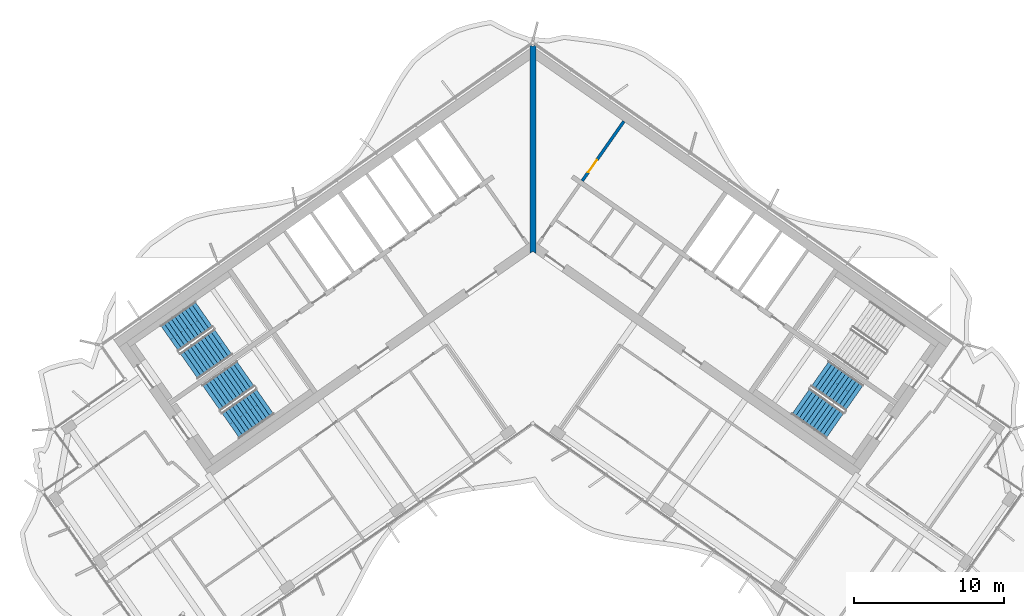
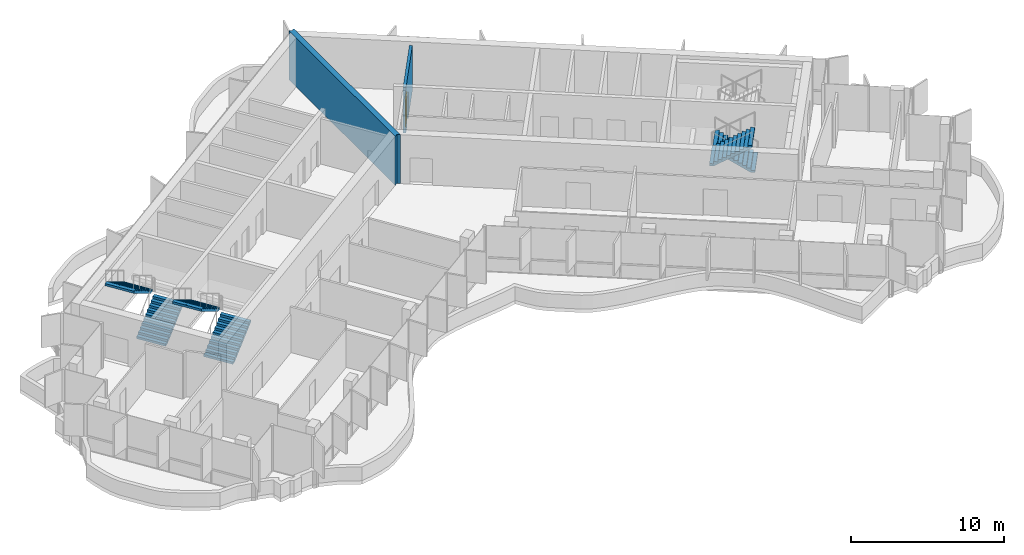
# One storey, part 14 of 20: 6 stair flights, 2 walls, 1 door, 1 opening, 3 elements without a shape of their own.
"""IFC4 building model written with IfcOpenShell, lengths in metres."""

import ifcopenshell
import ifcopenshell.guid

model = None  # the IFC model being written
_history = None  # IfcOwnerHistory: only IFC2X3 demands one
_inside = {}  # id of a spatial element -> (the spatial element, [elements in it])
_under = {}  # id of a project, library or spatial element -> (it, [spatial elements below it])
_declared = {}  # id of a project -> (the project, [libraries it declares])
_typed = {}  # id of a type object -> (the type object, [elements of that type])
_made_of = {}  # id of a material, layer set ... -> (it, [elements and type objects made of it])


def new_model(schema):
    """Start an empty IFC model of exactly this schema.

    Asked for "IFC4X3", IfcOpenShell would pick the latest addendum, in which some entities
    have other attributes; the version numbers below select the first issue.
    IFC2X3 requires an IfcOwnerHistory on every rooted entity: one is made here for all.
    """
    global model, _history
    if schema == "IFC4X3":
        model = ifcopenshell.file(schema_version=(4, 3, 0, 0))
    else:
        model = ifcopenshell.file(schema=schema)
    _inside.clear()
    _under.clear()
    _declared.clear()
    _typed.clear()
    _made_of.clear()
    _history = None
    if model.schema == "IFC2X3":
        org = make("IfcOrganization", Name="unknown")
        user = make(
            "IfcPersonAndOrganization",
            ThePerson=make("IfcPerson", FamilyName="unknown"),
            TheOrganization=org,
        )
        app = make(
            "IfcApplication",
            ApplicationDeveloper=org,
            Version="unknown",
            ApplicationFullName="unknown",
            ApplicationIdentifier="unknown",
        )
        _history = make(
            "IfcOwnerHistory",
            OwningUser=user,
            OwningApplication=app,
            ChangeAction="ADDED",
            CreationDate=0,
        )
    return model


def make(cls, **values):
    """One entity of the class cls with the attributes given. An attribute that is None is left unset."""
    return model.create_entity(
        cls, **{name: value for name, value in values.items() if value is not None}
    )


def rooted(cls, **values):
    """An entity with a GlobalId (a new one), such as an element, a storey or a relation."""
    return make(cls, GlobalId=ifcopenshell.guid.new(), OwnerHistory=_history, **values)


def si_unit(unit_type, name, prefix=None):
    """IfcSIUnit, for example si_unit("LENGTHUNIT", "METRE", prefix="MILLI")."""
    return make("IfcSIUnit", UnitType=unit_type, Prefix=prefix, Name=name)


def assignment(units):
    """IfcUnitAssignment: the units of a project."""
    return None if units is None else make("IfcUnitAssignment", Units=units)


def point(xyz):
    """IfcCartesianPoint."""
    return None if xyz is None else make("IfcCartesianPoint", Coordinates=xyz)


def direction(xyz):
    """IfcDirection."""
    return None if xyz is None else make("IfcDirection", DirectionRatios=xyz)


def frame(location, z_axis=None, x_axis=None):
    """IfcAxis2Placement3D, a coordinate frame: its origin and axes. An axis left out is left unset."""
    return make(
        "IfcAxis2Placement3D",
        Location=point(location),
        Axis=direction(z_axis),
        RefDirection=direction(x_axis),
    )


def frame_2d(location, x_axis=None):
    """IfcAxis2Placement2D, a coordinate frame in the plane: its origin and x axis."""
    return make(
        "IfcAxis2Placement2D", Location=point(location), RefDirection=direction(x_axis)
    )


def origin():
    """The frame at (0, 0, 0) with its axes left unset."""
    return frame((0.0, 0.0, 0.0))


def place(relative_to, where):
    """IfcLocalPlacement: puts the frame where relative to a parent placement (None: the world)."""
    return make(
        "IfcLocalPlacement", PlacementRelTo=relative_to, RelativePlacement=where
    )


def context(
    kind, dimensions, precision=None, world=None, true_north=None, identifier=None
):
    """IfcGeometricRepresentationContext, for example the 3D "Model" context."""
    return make(
        "IfcGeometricRepresentationContext",
        ContextIdentifier=identifier,
        ContextType=kind,
        CoordinateSpaceDimension=dimensions,
        Precision=precision,
        WorldCoordinateSystem=world,
        TrueNorth=true_north,
    )


def subcontext(parent, identifier, kind, view, scale=None):
    """IfcGeometricRepresentationSubContext, for example "Body" below "Model"."""
    return make(
        "IfcGeometricRepresentationSubContext",
        ContextIdentifier=identifier,
        ContextType=kind,
        ParentContext=parent,
        TargetScale=scale,
        TargetView=view,
    )


def project(units=None, contexts=None):
    """IfcProject with its units and contexts."""
    return rooted(
        "IfcProject",
        Name="project",
        RepresentationContexts=contexts,
        UnitsInContext=assignment(units),
    )


def spatial(cls, under=None, at=None, **own):
    """A site, building, storey or space (cls), placed at a placement, below another one or the project."""
    s = rooted(cls, ObjectPlacement=at, **own)
    if under is not None:
        _under.setdefault(under.id(), (under, []))[1].append(s)
    return s


def polyline(points):
    """IfcPolyline through the points."""
    return make("IfcPolyline", Points=[point(p) for p in points])


def profile(cls, at=None, kind="AREA", **sizes):
    """A parametric profile (cls). Its sizes go by their IFC names, for example OverallWidth=200.0."""
    return make(cls, ProfileType=kind, Position=at, **sizes)


def rectangle(**sizes):
    """IfcRectangleProfileDef."""
    return profile("IfcRectangleProfileDef", **sizes)


def outline(outer, holes=None, kind="AREA"):
    """IfcArbitraryClosedProfileDef: a profile drawn as a closed curve; with holes, ...WithVoids."""
    if holes is None:
        return make("IfcArbitraryClosedProfileDef", ProfileType=kind, OuterCurve=outer)
    return make(
        "IfcArbitraryProfileDefWithVoids",
        ProfileType=kind,
        OuterCurve=outer,
        InnerCurves=holes,
    )


def extrude(swept, where, along, depth):
    """IfcExtrudedAreaSolid: the profile swept, set in the frame where, extruded along a direction by depth."""
    return make(
        "IfcExtrudedAreaSolid",
        SweptArea=swept,
        Position=where,
        ExtrudedDirection=direction(along),
        Depth=depth,
    )


def shape(context_of_items, identifier, shape_type, items):
    """IfcShapeRepresentation: the items that make up one representation, for example the "Body"."""
    return make(
        "IfcShapeRepresentation",
        ContextOfItems=context_of_items,
        RepresentationIdentifier=identifier,
        RepresentationType=shape_type,
        Items=items,
    )


def material(Name=None, Category=None):
    """IfcMaterial."""
    return make("IfcMaterial", Name=Name, Category=Category)


def layer(
    of_material, thickness, ventilated=None, Name=None, Category=None, Priority=None
):
    """IfcMaterialLayer: one layer of a wall or slab, of a material (None: an air gap)."""
    return make(
        "IfcMaterialLayer",
        Material=of_material,
        LayerThickness=thickness,
        IsVentilated=ventilated,
        Name=Name,
        Category=Category,
        Priority=Priority,
    )


def layer_set(layers, Name=None):
    """IfcMaterialLayerSet."""
    return make("IfcMaterialLayerSet", MaterialLayers=layers, LayerSetName=Name)


def made_of(thing, what):
    """Note that an element or type object is made of a material, layer set ...; save() writes the relation."""
    if what is not None:
        _made_of.setdefault(what.id(), (what, []))[1].append(thing)
    return thing


def type_object(cls, material=None, **own):
    """A type object (cls), such as IfcWallType, which elements share."""
    return made_of(rooted(cls, **own), material)


def element(
    cls,
    number,
    at=None,
    inside=None,
    cuts=None,
    type_object=None,
    material=None,
    context=None,
    identifier="Body",
    shape_type=None,
    held_by="IfcProductDefinitionShape",
    body=None,
    shapes=None,
    **own,
):
    """One element of the class cls, such as IfcWall. Its Tag is "e" and its number.

    at: its placement. inside: the storey or other place that contains it. cuts: it is an
    opening in that element (IfcRelVoidsElement). A single representation is given by context,
    identifier, shape_type and body (its items); several are given by shapes. held_by: the class
    of the entity that holds the representations. save() writes the other relations.
    """
    e = rooted(cls, Tag="e%d" % number, ObjectPlacement=at, **own)
    if body is not None:
        shapes = [shape(context, identifier, shape_type, body)]
    if shapes is not None:
        e.Representation = make(held_by, Representations=shapes)
    if inside is not None:
        _inside.setdefault(inside.id(), (inside, []))[1].append(e)
    if cuts is not None:
        rooted(
            "IfcRelVoidsElement", RelatingBuildingElement=cuts, RelatedOpeningElement=e
        )
    if type_object is not None:
        _typed.setdefault(type_object.id(), (type_object, []))[1].append(e)
    return made_of(e, material)


def fill(opening, filler):
    """IfcRelFillsElement: the door or window that sits in an opening."""
    return rooted(
        "IfcRelFillsElement",
        RelatingOpeningElement=opening,
        RelatedBuildingElement=filler,
    )


def aggregate(whole, parts):
    """IfcRelAggregates: a whole, such as a stair, and the parts it consists of."""
    return rooted("IfcRelAggregates", RelatingObject=whole, RelatedObjects=parts)


def save(model, path):
    """Write the relations noted so far, then the file.

    IfcRelAggregates (storeys below a building ...), IfcRelContainedInSpatialStructure (elements
    in a storey), IfcRelDefinesByType, IfcRelAssociatesMaterial and IfcRelDeclares: one each for
    every whole, place, type object, material and project.
    """
    for whole, parts in _under.values():
        aggregate(whole, parts)
    for where, things in _inside.values():
        rooted(
            "IfcRelContainedInSpatialStructure",
            RelatedElements=things,
            RelatingStructure=where,
        )
    for kind, things in _typed.values():
        rooted("IfcRelDefinesByType", RelatedObjects=things, RelatingType=kind)
    for what, things in _made_of.values():
        rooted("IfcRelAssociatesMaterial", RelatedObjects=things, RelatingMaterial=what)
    for by, libraries in _declared.values():
        rooted("IfcRelDeclares", RelatingContext=by, RelatedDefinitions=libraries)
    model.write(path)


model = new_model("IFC4")

# Units and contexts
model_context = context("Model", 3, precision=1e-05, world=origin(), true_north=direction((0.0, 1.0)))
body_context = subcontext(model_context, "Body", "Model", "MODEL_VIEW")
ifc_project = project(units=[si_unit("LENGTHUNIT", "METRE"), si_unit("AREAUNIT", "SQUARE_METRE"), si_unit("VOLUMEUNIT", "CUBIC_METRE"), si_unit("PLANEANGLEUNIT", "RADIAN"), si_unit("MASSUNIT", "GRAM", prefix="KILO")], contexts=[model_context])

# Site, building, storey
site_placement = place(None, origin())
site = spatial("IfcSite", under=ifc_project, at=site_placement, CompositionType="ELEMENT")
building_placement = place(site_placement, origin())
building = spatial("IfcBuilding", under=site, at=building_placement, Name="Tel Ilan Convention Tower", CompositionType="ELEMENT")
storey_placement = place(building_placement, frame((0.0, 0.0, 233.199951171875)))
storey = spatial("IfcBuildingStorey", under=building, at=storey_placement, Name="L54", CompositionType="ELEMENT", Elevation=233.199951171875)

# Wall, opening, door
ifc_material_1 = material(Name="Concrete C30/37", Category="concrete")
ifc_layer_1 = layer(ifc_material_1, 0.199951171875)
ifc_layer_set_1 = layer_set([ifc_layer_1], Name="Core Service Room Wall 200 mm C30/37")
wall_type_1 = type_object("IfcWallType", Name="Core Service Room Wall 200 mm C30/37", PredefinedType="SOLIDWALL", material=ifc_layer_set_1)
wall_1_placement = place(storey_placement, frame((3.2978515625, 3.489501953125, 0.0), z_axis=(0.0, 0.0, 1.0), x_axis=(0.573560315113, 0.819163332265, 0.0)))
wall_1 = element("IfcWall", 1, at=wall_1_placement, inside=storey, type_object=wall_type_1, Name="L54 core wall apex-E-b", PredefinedType="SOLIDWALL", context=body_context, shape_type="SweptSolid", body=[
    extrude(rectangle(XDim=4.849853515625, YDim=0.199951171875, at=frame_2d((2.4248046875, 0.0))), origin(), (0.0, 0.0, 1.0), 3.6201171875),
])
opening_placement = place(wall_1_placement, frame((0.699951171875, 0.0, 0.0)))
opening = element("IfcOpeningElement", 2, at=opening_placement, cuts=wall_1, Name="Opening CD4203", PredefinedType="OPENING", context=body_context, shape_type="SweptSolid", body=[
    extrude(rectangle(XDim=1.0, YDim=2.10009765625, at=frame_2d((0.5, 1.050048828125))), frame((0.0, 0.10986328125, 0.0), z_axis=(0.0, -1.0, 0.0), x_axis=(1.0, 0.0, 0.0)), (0.0, 0.0, 1.0), 0.219970703125),
])
ifc_material_2 = material(Name="Galvanised Steel Door Leaf", Category="steel")
door_type = type_object("IfcDoorType", Name="Service Room Door 1000 x 2100 FD60", OperationType="NOTDEFINED", PredefinedType="DOOR", material=ifc_material_2)
door_placement = place(opening_placement, origin())
door = element("IfcDoor", 3, at=door_placement, inside=storey, type_object=door_type, Name="Plant Room door", OperationType="SINGLE_SWING_RIGHT", OverallHeight=2.10009765625, OverallWidth=1.0, PredefinedType="DOOR", context=body_context, shape_type="SweptSolid", body=[
    extrude(rectangle(XDim=1.0, YDim=2.10009765625, at=frame_2d((0.5, 1.050048828125))), frame((0.0, 0.02490234375, 0.0), z_axis=(0.0, -1.0, 0.0), x_axis=(1.0, 0.0, 0.0)), (0.0, 0.0, 1.0), 0.050048828125),
])
fill(opening, door)

# Wall
ifc_material_3 = material(Name="Concrete C40/50", Category="concrete")
ifc_layer_2 = layer(ifc_material_3, 0.39990234375)
ifc_layer_set_2 = layer_set([ifc_layer_2], Name="Core Shear Wall 400 mm C40/50")
wall_type_2 = type_object("IfcWallType", Name="Core Shear Wall 400 mm C40/50", PredefinedType="SHEAR", material=ifc_layer_set_2)
wall_2_placement = place(storey_placement, frame((0.0, -1.36083984375, 0.0), z_axis=(0.0, 0.0, 1.0), x_axis=(0.0, 1.0, 0.0)))
element("IfcWall", 4, at=wall_2_placement, inside=storey, type_object=wall_type_2, Name="L54 core wall K-central", PredefinedType="SHEAR", context=body_context, shape_type="SweptSolid", body=[
    extrude(outline(polyline([(0.14013671875, 0.199951171875), (0.0, 0.199951171875), (0.14013671875, 0.0), (0.0, -0.199951171875), (0.14013671875, -0.199951171875), (1.012451171875, -0.199951171875), (12.940185546875, -0.199951171875), (13.812744140625, -0.199951171875), (13.893310546875, -0.199951171875), (13.933349609375, -0.172119140625), (13.812744140625, 0.0), (13.933349609375, 0.172119140625), (13.893310546875, 0.199951171875), (13.812744140625, 0.199951171875), (12.940185546875, 0.199951171875), (1.012451171875, 0.199951171875), (0.14013671875, 0.199951171875)])), origin(), (0.0, 0.0, 1.0), 3.900146484375),
])

# Stair, stair flights
ifc_material_4 = material(Name="Concrete C40/50", Category="concrete")
stair_type = type_object("IfcStairType", Name="Pressurised Exit Stair 22 risers 177 mm", PredefinedType="HALF_TURN_STAIR", material=ifc_material_4)
stair_1_placement = place(storey_placement, origin())
stair_1 = element("IfcStair", 5, at=stair_1_placement, inside=storey, type_object=stair_type, Name="L54 Pressurised Stair S1", PredefinedType="HALF_TURN_STAIR")
ifc_material_5 = material(Name="Precast Concrete C40/50", Category="concrete")
stair_flight_type = type_object("IfcStairFlightType", Name="Concrete Stair Flight 2100 mm 22 risers 177 mm", PredefinedType="STRAIGHT", material=ifc_material_5)
stair_flight_1_placement = place(storey_placement, frame((-22.9619140625, -8.87548828125, 0.0), z_axis=(0.0, 0.0, 1.0), x_axis=(0.819152044289, 0.573576436351, 0.0)))
stair_flight_1 = element("IfcStairFlight", 6, at=stair_flight_1_placement, type_object=stair_flight_type, Name="S1 flight 1", NumberOfRisers=11, NumberOfTreads=10, PredefinedType="STRAIGHT", RiserHeight=0.177272727, TreadLength=0.28, context=body_context, shape_type="SweptSolid", body=[
    extrude(outline(polyline([(0.0, 0.0), (0.0, 0.17724609375), (0.280029296875, 0.17724609375), (0.280029296875, 0.3544921875), (0.56005859375, 0.3544921875), (0.56005859375, 0.53173828125), (0.840087890625, 0.53173828125), (0.840087890625, 0.708984375), (1.1201171875, 0.708984375), (1.1201171875, 0.886474609375), (1.39990234375, 0.886474609375), (1.39990234375, 1.063720703125), (1.679931640625, 1.063720703125), (1.679931640625, 1.240966796875), (1.9599609375, 1.240966796875), (1.9599609375, 1.418212890625), (2.239990234375, 1.418212890625), (2.239990234375, 1.595458984375), (2.52001953125, 1.595458984375), (2.52001953125, 1.772705078125), (2.800048828125, 1.772705078125), (2.800048828125, 1.949951171875), (2.800048828125, 1.59521484375), (0.2802734375, 0.0), (0.0, 0.0)])), frame((0.0, -0.100341796875, 0.0), z_axis=(0.0, -1.0, 0.0), x_axis=(1.0, 0.0, 0.0)), (0.0, 0.0, 1.0), 0.94970703125),
    extrude(outline(polyline([(0.0, 0.0), (0.0, 0.17724609375), (0.280029296875, 0.17724609375), (0.280029296875, 0.3544921875), (0.56005859375, 0.3544921875), (0.56005859375, 0.53173828125), (0.840087890625, 0.53173828125), (0.840087890625, 0.708984375), (1.1201171875, 0.708984375), (1.1201171875, 0.886474609375), (1.39990234375, 0.886474609375), (1.39990234375, 1.063720703125), (1.679931640625, 1.063720703125), (1.679931640625, 1.240966796875), (1.9599609375, 1.240966796875), (1.9599609375, 1.418212890625), (2.239990234375, 1.418212890625), (2.239990234375, 1.595458984375), (2.52001953125, 1.595458984375), (2.52001953125, 1.772705078125), (2.800048828125, 1.772705078125), (2.800048828125, 1.949951171875), (2.800048828125, 1.59521484375), (0.2802734375, 0.0), (0.0, 0.0)])), frame((0.0, -0.000244140625, 0.0), z_axis=(0.0, -1.0, 0.0), x_axis=(1.0, 0.0, 0.0)), (0.0, 0.0, 1.0), 0.099609375),
    extrude(outline(polyline([(0.0, 0.0), (0.0, 0.17724609375), (0.280029296875, 0.17724609375), (0.280029296875, 0.3544921875), (0.56005859375, 0.3544921875), (0.56005859375, 0.53173828125), (0.840087890625, 0.53173828125), (0.840087890625, 0.708984375), (1.1201171875, 0.708984375), (1.1201171875, 0.886474609375), (1.39990234375, 0.886474609375), (1.39990234375, 1.063720703125), (1.679931640625, 1.063720703125), (1.679931640625, 1.240966796875), (1.9599609375, 1.240966796875), (1.9599609375, 1.418212890625), (2.239990234375, 1.418212890625), (2.239990234375, 1.595458984375), (2.52001953125, 1.595458984375), (2.52001953125, 1.772705078125), (2.800048828125, 1.772705078125), (2.800048828125, 1.949951171875), (2.800048828125, 1.59521484375), (0.2802734375, 0.0), (0.0, 0.0)])), frame((0.0, 0.099853515625, 0.0), z_axis=(0.0, -1.0, 0.0), x_axis=(1.0, 0.0, 0.0)), (0.0, 0.0, 1.0), 0.099609375),
    extrude(outline(polyline([(0.0, 0.0), (0.0, 0.17724609375), (0.280029296875, 0.17724609375), (0.280029296875, 0.3544921875), (0.56005859375, 0.3544921875), (0.56005859375, 0.53173828125), (0.840087890625, 0.53173828125), (0.840087890625, 0.708984375), (1.1201171875, 0.708984375), (1.1201171875, 0.886474609375), (1.39990234375, 0.886474609375), (1.39990234375, 1.063720703125), (1.679931640625, 1.063720703125), (1.679931640625, 1.240966796875), (1.9599609375, 1.240966796875), (1.9599609375, 1.418212890625), (2.239990234375, 1.418212890625), (2.239990234375, 1.595458984375), (2.52001953125, 1.595458984375), (2.52001953125, 1.772705078125), (2.800048828125, 1.772705078125), (2.800048828125, 1.949951171875), (2.800048828125, 1.59521484375), (0.2802734375, 0.0), (0.0, 0.0)])), frame((0.0, 1.050048828125, 0.0), z_axis=(0.0, -1.0, 0.0), x_axis=(1.0, 0.0, 0.0)), (0.0, 0.0, 1.0), 0.94970703125),
])
stair_flight_2_placement = place(storey_placement, frame((-21.958740234375, -5.42626953125, 1.949951171875), z_axis=(0.0, 0.0, 1.0), x_axis=(-0.819152044289, -0.573576436351, 0.0)))
stair_flight_2 = element("IfcStairFlight", 7, at=stair_flight_2_placement, type_object=stair_flight_type, Name="S1 flight 2", NumberOfRisers=11, NumberOfTreads=10, PredefinedType="STRAIGHT", RiserHeight=0.177272727, TreadLength=0.28, context=body_context, shape_type="SweptSolid", body=[
    extrude(outline(polyline([(0.0, 0.0), (0.0, 0.17724609375), (0.280029296875, 0.17724609375), (0.280029296875, 0.3544921875), (0.56005859375, 0.3544921875), (0.56005859375, 0.53173828125), (0.840087890625, 0.53173828125), (0.840087890625, 0.708984375), (1.1201171875, 0.708984375), (1.1201171875, 0.886474609375), (1.39990234375, 0.886474609375), (1.39990234375, 1.063720703125), (1.679931640625, 1.063720703125), (1.679931640625, 1.240966796875), (1.9599609375, 1.240966796875), (1.9599609375, 1.418212890625), (2.239990234375, 1.418212890625), (2.239990234375, 1.595458984375), (2.52001953125, 1.595458984375), (2.52001953125, 1.772705078125), (2.800048828125, 1.772705078125), (2.800048828125, 1.949951171875), (2.800048828125, 1.59521484375), (0.2802734375, 0.0), (0.0, 0.0)])), frame((0.0, -0.100341796875, 0.0), z_axis=(0.0, -1.0, 0.0), x_axis=(1.0, 0.0, 0.0)), (0.0, 0.0, 1.0), 0.94970703125),
    extrude(outline(polyline([(0.0, 0.0), (0.0, 0.17724609375), (0.280029296875, 0.17724609375), (0.280029296875, 0.3544921875), (0.56005859375, 0.3544921875), (0.56005859375, 0.53173828125), (0.840087890625, 0.53173828125), (0.840087890625, 0.708984375), (1.1201171875, 0.708984375), (1.1201171875, 0.886474609375), (1.39990234375, 0.886474609375), (1.39990234375, 1.063720703125), (1.679931640625, 1.063720703125), (1.679931640625, 1.240966796875), (1.9599609375, 1.240966796875), (1.9599609375, 1.418212890625), (2.239990234375, 1.418212890625), (2.239990234375, 1.595458984375), (2.52001953125, 1.595458984375), (2.52001953125, 1.772705078125), (2.800048828125, 1.772705078125), (2.800048828125, 1.949951171875), (2.800048828125, 1.59521484375), (0.2802734375, 0.0), (0.0, 0.0)])), frame((0.0, -0.000244140625, 0.0), z_axis=(0.0, -1.0, 0.0), x_axis=(1.0, 0.0, 0.0)), (0.0, 0.0, 1.0), 0.099609375),
    extrude(outline(polyline([(0.0, 0.0), (0.0, 0.17724609375), (0.280029296875, 0.17724609375), (0.280029296875, 0.3544921875), (0.56005859375, 0.3544921875), (0.56005859375, 0.53173828125), (0.840087890625, 0.53173828125), (0.840087890625, 0.708984375), (1.1201171875, 0.708984375), (1.1201171875, 0.886474609375), (1.39990234375, 0.886474609375), (1.39990234375, 1.063720703125), (1.679931640625, 1.063720703125), (1.679931640625, 1.240966796875), (1.9599609375, 1.240966796875), (1.9599609375, 1.418212890625), (2.239990234375, 1.418212890625), (2.239990234375, 1.595458984375), (2.52001953125, 1.595458984375), (2.52001953125, 1.772705078125), (2.800048828125, 1.772705078125), (2.800048828125, 1.949951171875), (2.800048828125, 1.59521484375), (0.2802734375, 0.0), (0.0, 0.0)])), frame((0.0, 0.099853515625, 0.0), z_axis=(0.0, -1.0, 0.0), x_axis=(1.0, 0.0, 0.0)), (0.0, 0.0, 1.0), 0.099609375),
    extrude(outline(polyline([(0.0, 0.0), (0.0, 0.17724609375), (0.280029296875, 0.17724609375), (0.280029296875, 0.3544921875), (0.56005859375, 0.3544921875), (0.56005859375, 0.53173828125), (0.840087890625, 0.53173828125), (0.840087890625, 0.708984375), (1.1201171875, 0.708984375), (1.1201171875, 0.886474609375), (1.39990234375, 0.886474609375), (1.39990234375, 1.063720703125), (1.679931640625, 1.063720703125), (1.679931640625, 1.240966796875), (1.9599609375, 1.240966796875), (1.9599609375, 1.418212890625), (2.239990234375, 1.418212890625), (2.239990234375, 1.595458984375), (2.52001953125, 1.595458984375), (2.52001953125, 1.772705078125), (2.800048828125, 1.772705078125), (2.800048828125, 1.949951171875), (2.800048828125, 1.59521484375), (0.2802734375, 0.0), (0.0, 0.0)])), frame((0.0, 1.050048828125, 0.0), z_axis=(0.0, -1.0, 0.0), x_axis=(1.0, 0.0, 0.0)), (0.0, 0.0, 1.0), 0.94970703125),
])
aggregate(stair_1, [stair_flight_1, stair_flight_2])

stair_2_placement = place(storey_placement, origin())
stair_2 = element("IfcStair", 8, at=stair_2_placement, inside=storey, type_object=stair_type, Name="L54 Pressurised Stair S2", PredefinedType="HALF_TURN_STAIR")
stair_flight_3_placement = place(storey_placement, frame((-20.179931640625, -12.848388671875, 0.0), z_axis=(0.0, 0.0, 1.0), x_axis=(0.819152044289, 0.573576436351, 0.0)))
stair_flight_3 = element("IfcStairFlight", 9, at=stair_flight_3_placement, type_object=stair_flight_type, Name="S2 flight 1", NumberOfRisers=11, NumberOfTreads=10, PredefinedType="STRAIGHT", RiserHeight=0.177272727, TreadLength=0.28, context=body_context, shape_type="SweptSolid", body=[
    extrude(outline(polyline([(0.0, 0.0), (0.0, 0.17724609375), (0.280029296875, 0.17724609375), (0.280029296875, 0.3544921875), (0.56005859375, 0.3544921875), (0.56005859375, 0.53173828125), (0.840087890625, 0.53173828125), (0.840087890625, 0.708984375), (1.1201171875, 0.708984375), (1.1201171875, 0.886474609375), (1.39990234375, 0.886474609375), (1.39990234375, 1.063720703125), (1.679931640625, 1.063720703125), (1.679931640625, 1.240966796875), (1.9599609375, 1.240966796875), (1.9599609375, 1.418212890625), (2.239990234375, 1.418212890625), (2.239990234375, 1.595458984375), (2.52001953125, 1.595458984375), (2.52001953125, 1.772705078125), (2.800048828125, 1.772705078125), (2.800048828125, 1.949951171875), (2.800048828125, 1.59521484375), (0.2802734375, 0.0), (0.0, 0.0)])), frame((0.0, -0.100341796875, 0.0), z_axis=(0.0, -1.0, 0.0), x_axis=(1.0, 0.0, 0.0)), (0.0, 0.0, 1.0), 0.94970703125),
    extrude(outline(polyline([(0.0, 0.0), (0.0, 0.17724609375), (0.280029296875, 0.17724609375), (0.280029296875, 0.3544921875), (0.56005859375, 0.3544921875), (0.56005859375, 0.53173828125), (0.840087890625, 0.53173828125), (0.840087890625, 0.708984375), (1.1201171875, 0.708984375), (1.1201171875, 0.886474609375), (1.39990234375, 0.886474609375), (1.39990234375, 1.063720703125), (1.679931640625, 1.063720703125), (1.679931640625, 1.240966796875), (1.9599609375, 1.240966796875), (1.9599609375, 1.418212890625), (2.239990234375, 1.418212890625), (2.239990234375, 1.595458984375), (2.52001953125, 1.595458984375), (2.52001953125, 1.772705078125), (2.800048828125, 1.772705078125), (2.800048828125, 1.949951171875), (2.800048828125, 1.59521484375), (0.2802734375, 0.0), (0.0, 0.0)])), frame((0.0, -0.000244140625, 0.0), z_axis=(0.0, -1.0, 0.0), x_axis=(1.0, 0.0, 0.0)), (0.0, 0.0, 1.0), 0.099609375),
    extrude(outline(polyline([(0.0, 0.0), (0.0, 0.17724609375), (0.280029296875, 0.17724609375), (0.280029296875, 0.3544921875), (0.56005859375, 0.3544921875), (0.56005859375, 0.53173828125), (0.840087890625, 0.53173828125), (0.840087890625, 0.708984375), (1.1201171875, 0.708984375), (1.1201171875, 0.886474609375), (1.39990234375, 0.886474609375), (1.39990234375, 1.063720703125), (1.679931640625, 1.063720703125), (1.679931640625, 1.240966796875), (1.9599609375, 1.240966796875), (1.9599609375, 1.418212890625), (2.239990234375, 1.418212890625), (2.239990234375, 1.595458984375), (2.52001953125, 1.595458984375), (2.52001953125, 1.772705078125), (2.800048828125, 1.772705078125), (2.800048828125, 1.949951171875), (2.800048828125, 1.59521484375), (0.2802734375, 0.0), (0.0, 0.0)])), frame((0.0, 0.099853515625, 0.0), z_axis=(0.0, -1.0, 0.0), x_axis=(1.0, 0.0, 0.0)), (0.0, 0.0, 1.0), 0.099609375),
    extrude(outline(polyline([(0.0, 0.0), (0.0, 0.17724609375), (0.280029296875, 0.17724609375), (0.280029296875, 0.3544921875), (0.56005859375, 0.3544921875), (0.56005859375, 0.53173828125), (0.840087890625, 0.53173828125), (0.840087890625, 0.708984375), (1.1201171875, 0.708984375), (1.1201171875, 0.886474609375), (1.39990234375, 0.886474609375), (1.39990234375, 1.063720703125), (1.679931640625, 1.063720703125), (1.679931640625, 1.240966796875), (1.9599609375, 1.240966796875), (1.9599609375, 1.418212890625), (2.239990234375, 1.418212890625), (2.239990234375, 1.595458984375), (2.52001953125, 1.595458984375), (2.52001953125, 1.772705078125), (2.800048828125, 1.772705078125), (2.800048828125, 1.949951171875), (2.800048828125, 1.59521484375), (0.2802734375, 0.0), (0.0, 0.0)])), frame((0.0, 1.050048828125, 0.0), z_axis=(0.0, -1.0, 0.0), x_axis=(1.0, 0.0, 0.0)), (0.0, 0.0, 1.0), 0.94970703125),
])
stair_flight_4_placement = place(storey_placement, frame((-19.177001953125, -9.399169921875, 1.949951171875), z_axis=(0.0, 0.0, 1.0), x_axis=(-0.819152044289, -0.573576436351, 0.0)))
stair_flight_4 = element("IfcStairFlight", 10, at=stair_flight_4_placement, type_object=stair_flight_type, Name="S2 flight 2", NumberOfRisers=11, NumberOfTreads=10, PredefinedType="STRAIGHT", RiserHeight=0.177272727, TreadLength=0.28, context=body_context, shape_type="SweptSolid", body=[
    extrude(outline(polyline([(0.0, 0.0), (0.0, 0.17724609375), (0.280029296875, 0.17724609375), (0.280029296875, 0.3544921875), (0.56005859375, 0.3544921875), (0.56005859375, 0.53173828125), (0.840087890625, 0.53173828125), (0.840087890625, 0.708984375), (1.1201171875, 0.708984375), (1.1201171875, 0.886474609375), (1.39990234375, 0.886474609375), (1.39990234375, 1.063720703125), (1.679931640625, 1.063720703125), (1.679931640625, 1.240966796875), (1.9599609375, 1.240966796875), (1.9599609375, 1.418212890625), (2.239990234375, 1.418212890625), (2.239990234375, 1.595458984375), (2.52001953125, 1.595458984375), (2.52001953125, 1.772705078125), (2.800048828125, 1.772705078125), (2.800048828125, 1.949951171875), (2.800048828125, 1.59521484375), (0.2802734375, 0.0), (0.0, 0.0)])), frame((0.0, -0.100341796875, 0.0), z_axis=(0.0, -1.0, 0.0), x_axis=(1.0, 0.0, 0.0)), (0.0, 0.0, 1.0), 0.94970703125),
    extrude(outline(polyline([(0.0, 0.0), (0.0, 0.17724609375), (0.280029296875, 0.17724609375), (0.280029296875, 0.3544921875), (0.56005859375, 0.3544921875), (0.56005859375, 0.53173828125), (0.840087890625, 0.53173828125), (0.840087890625, 0.708984375), (1.1201171875, 0.708984375), (1.1201171875, 0.886474609375), (1.39990234375, 0.886474609375), (1.39990234375, 1.063720703125), (1.679931640625, 1.063720703125), (1.679931640625, 1.240966796875), (1.9599609375, 1.240966796875), (1.9599609375, 1.418212890625), (2.239990234375, 1.418212890625), (2.239990234375, 1.595458984375), (2.52001953125, 1.595458984375), (2.52001953125, 1.772705078125), (2.800048828125, 1.772705078125), (2.800048828125, 1.949951171875), (2.800048828125, 1.59521484375), (0.2802734375, 0.0), (0.0, 0.0)])), frame((0.0, -0.000244140625, 0.0), z_axis=(0.0, -1.0, 0.0), x_axis=(1.0, 0.0, 0.0)), (0.0, 0.0, 1.0), 0.099609375),
    extrude(outline(polyline([(0.0, 0.0), (0.0, 0.17724609375), (0.280029296875, 0.17724609375), (0.280029296875, 0.3544921875), (0.56005859375, 0.3544921875), (0.56005859375, 0.53173828125), (0.840087890625, 0.53173828125), (0.840087890625, 0.708984375), (1.1201171875, 0.708984375), (1.1201171875, 0.886474609375), (1.39990234375, 0.886474609375), (1.39990234375, 1.063720703125), (1.679931640625, 1.063720703125), (1.679931640625, 1.240966796875), (1.9599609375, 1.240966796875), (1.9599609375, 1.418212890625), (2.239990234375, 1.418212890625), (2.239990234375, 1.595458984375), (2.52001953125, 1.595458984375), (2.52001953125, 1.772705078125), (2.800048828125, 1.772705078125), (2.800048828125, 1.949951171875), (2.800048828125, 1.59521484375), (0.2802734375, 0.0), (0.0, 0.0)])), frame((0.0, 0.099853515625, 0.0), z_axis=(0.0, -1.0, 0.0), x_axis=(1.0, 0.0, 0.0)), (0.0, 0.0, 1.0), 0.099609375),
    extrude(outline(polyline([(0.0, 0.0), (0.0, 0.17724609375), (0.280029296875, 0.17724609375), (0.280029296875, 0.3544921875), (0.56005859375, 0.3544921875), (0.56005859375, 0.53173828125), (0.840087890625, 0.53173828125), (0.840087890625, 0.708984375), (1.1201171875, 0.708984375), (1.1201171875, 0.886474609375), (1.39990234375, 0.886474609375), (1.39990234375, 1.063720703125), (1.679931640625, 1.063720703125), (1.679931640625, 1.240966796875), (1.9599609375, 1.240966796875), (1.9599609375, 1.418212890625), (2.239990234375, 1.418212890625), (2.239990234375, 1.595458984375), (2.52001953125, 1.595458984375), (2.52001953125, 1.772705078125), (2.800048828125, 1.772705078125), (2.800048828125, 1.949951171875), (2.800048828125, 1.59521484375), (0.2802734375, 0.0), (0.0, 0.0)])), frame((0.0, 1.050048828125, 0.0), z_axis=(0.0, -1.0, 0.0), x_axis=(1.0, 0.0, 0.0)), (0.0, 0.0, 1.0), 0.94970703125),
])
aggregate(stair_2, [stair_flight_3, stair_flight_4])

stair_3_placement = place(storey_placement, origin())
stair_3 = element("IfcStair", 11, at=stair_3_placement, inside=storey, type_object=stair_type, Name="L54 Pressurised Stair S4", PredefinedType="HALF_TURN_STAIR")
stair_flight_5_placement = place(storey_placement, frame((21.470458984375, -11.00537109375, 0.0), z_axis=(0.0, 0.0, 1.0), x_axis=(-0.819152044289, 0.573576436351, 0.0)))
stair_flight_5 = element("IfcStairFlight", 12, at=stair_flight_5_placement, type_object=stair_flight_type, Name="S4 flight 1", NumberOfRisers=11, NumberOfTreads=10, PredefinedType="STRAIGHT", RiserHeight=0.177272727, TreadLength=0.28, context=body_context, shape_type="SweptSolid", body=[
    extrude(outline(polyline([(0.0, 0.0), (0.0, 0.17724609375), (0.280029296875, 0.17724609375), (0.280029296875, 0.3544921875), (0.56005859375, 0.3544921875), (0.56005859375, 0.53173828125), (0.840087890625, 0.53173828125), (0.840087890625, 0.708984375), (1.1201171875, 0.708984375), (1.1201171875, 0.886474609375), (1.39990234375, 0.886474609375), (1.39990234375, 1.063720703125), (1.679931640625, 1.063720703125), (1.679931640625, 1.240966796875), (1.9599609375, 1.240966796875), (1.9599609375, 1.418212890625), (2.239990234375, 1.418212890625), (2.239990234375, 1.595458984375), (2.52001953125, 1.595458984375), (2.52001953125, 1.772705078125), (2.800048828125, 1.772705078125), (2.800048828125, 1.949951171875), (2.800048828125, 1.59521484375), (0.2802734375, 0.0), (0.0, 0.0)])), frame((0.0, -0.100341796875, 0.0), z_axis=(0.0, -1.0, 0.0), x_axis=(1.0, 0.0, 0.0)), (0.0, 0.0, 1.0), 0.94970703125),
    extrude(outline(polyline([(0.0, 0.0), (0.0, 0.17724609375), (0.280029296875, 0.17724609375), (0.280029296875, 0.3544921875), (0.56005859375, 0.3544921875), (0.56005859375, 0.53173828125), (0.840087890625, 0.53173828125), (0.840087890625, 0.708984375), (1.1201171875, 0.708984375), (1.1201171875, 0.886474609375), (1.39990234375, 0.886474609375), (1.39990234375, 1.063720703125), (1.679931640625, 1.063720703125), (1.679931640625, 1.240966796875), (1.9599609375, 1.240966796875), (1.9599609375, 1.418212890625), (2.239990234375, 1.418212890625), (2.239990234375, 1.595458984375), (2.52001953125, 1.595458984375), (2.52001953125, 1.772705078125), (2.800048828125, 1.772705078125), (2.800048828125, 1.949951171875), (2.800048828125, 1.59521484375), (0.2802734375, 0.0), (0.0, 0.0)])), frame((0.0, -0.000244140625, 0.0), z_axis=(0.0, -1.0, 0.0), x_axis=(1.0, 0.0, 0.0)), (0.0, 0.0, 1.0), 0.099609375),
    extrude(outline(polyline([(0.0, 0.0), (0.0, 0.17724609375), (0.280029296875, 0.17724609375), (0.280029296875, 0.3544921875), (0.56005859375, 0.3544921875), (0.56005859375, 0.53173828125), (0.840087890625, 0.53173828125), (0.840087890625, 0.708984375), (1.1201171875, 0.708984375), (1.1201171875, 0.886474609375), (1.39990234375, 0.886474609375), (1.39990234375, 1.063720703125), (1.679931640625, 1.063720703125), (1.679931640625, 1.240966796875), (1.9599609375, 1.240966796875), (1.9599609375, 1.418212890625), (2.239990234375, 1.418212890625), (2.239990234375, 1.595458984375), (2.52001953125, 1.595458984375), (2.52001953125, 1.772705078125), (2.800048828125, 1.772705078125), (2.800048828125, 1.949951171875), (2.800048828125, 1.59521484375), (0.2802734375, 0.0), (0.0, 0.0)])), frame((0.0, 0.099853515625, 0.0), z_axis=(0.0, -1.0, 0.0), x_axis=(1.0, 0.0, 0.0)), (0.0, 0.0, 1.0), 0.099609375),
    extrude(outline(polyline([(0.0, 0.0), (0.0, 0.17724609375), (0.280029296875, 0.17724609375), (0.280029296875, 0.3544921875), (0.56005859375, 0.3544921875), (0.56005859375, 0.53173828125), (0.840087890625, 0.53173828125), (0.840087890625, 0.708984375), (1.1201171875, 0.708984375), (1.1201171875, 0.886474609375), (1.39990234375, 0.886474609375), (1.39990234375, 1.063720703125), (1.679931640625, 1.063720703125), (1.679931640625, 1.240966796875), (1.9599609375, 1.240966796875), (1.9599609375, 1.418212890625), (2.239990234375, 1.418212890625), (2.239990234375, 1.595458984375), (2.52001953125, 1.595458984375), (2.52001953125, 1.772705078125), (2.800048828125, 1.772705078125), (2.800048828125, 1.949951171875), (2.800048828125, 1.59521484375), (0.2802734375, 0.0), (0.0, 0.0)])), frame((0.0, 1.050048828125, 0.0), z_axis=(0.0, -1.0, 0.0), x_axis=(1.0, 0.0, 0.0)), (0.0, 0.0, 1.0), 0.94970703125),
])
stair_flight_6_placement = place(storey_placement, frame((17.886474609375, -11.242431640625, 1.949951171875), z_axis=(0.0, 0.0, 1.0), x_axis=(0.819152044289, -0.573576436351, 0.0)))
stair_flight_6 = element("IfcStairFlight", 13, at=stair_flight_6_placement, type_object=stair_flight_type, Name="S4 flight 2", NumberOfRisers=11, NumberOfTreads=10, PredefinedType="STRAIGHT", RiserHeight=0.177272727, TreadLength=0.28, context=body_context, shape_type="SweptSolid", body=[
    extrude(outline(polyline([(0.0, 0.0), (0.0, 0.17724609375), (0.280029296875, 0.17724609375), (0.280029296875, 0.3544921875), (0.56005859375, 0.3544921875), (0.56005859375, 0.53173828125), (0.840087890625, 0.53173828125), (0.840087890625, 0.708984375), (1.1201171875, 0.708984375), (1.1201171875, 0.886474609375), (1.39990234375, 0.886474609375), (1.39990234375, 1.063720703125), (1.679931640625, 1.063720703125), (1.679931640625, 1.240966796875), (1.9599609375, 1.240966796875), (1.9599609375, 1.418212890625), (2.239990234375, 1.418212890625), (2.239990234375, 1.595458984375), (2.52001953125, 1.595458984375), (2.52001953125, 1.772705078125), (2.800048828125, 1.772705078125), (2.800048828125, 1.949951171875), (2.800048828125, 1.59521484375), (0.2802734375, 0.0), (0.0, 0.0)])), frame((0.0, -0.100341796875, 0.0), z_axis=(0.0, -1.0, 0.0), x_axis=(1.0, 0.0, 0.0)), (0.0, 0.0, 1.0), 0.94970703125),
    extrude(outline(polyline([(0.0, 0.0), (0.0, 0.17724609375), (0.280029296875, 0.17724609375), (0.280029296875, 0.3544921875), (0.56005859375, 0.3544921875), (0.56005859375, 0.53173828125), (0.840087890625, 0.53173828125), (0.840087890625, 0.708984375), (1.1201171875, 0.708984375), (1.1201171875, 0.886474609375), (1.39990234375, 0.886474609375), (1.39990234375, 1.063720703125), (1.679931640625, 1.063720703125), (1.679931640625, 1.240966796875), (1.9599609375, 1.240966796875), (1.9599609375, 1.418212890625), (2.239990234375, 1.418212890625), (2.239990234375, 1.595458984375), (2.52001953125, 1.595458984375), (2.52001953125, 1.772705078125), (2.800048828125, 1.772705078125), (2.800048828125, 1.949951171875), (2.800048828125, 1.59521484375), (0.2802734375, 0.0), (0.0, 0.0)])), frame((0.0, -0.000244140625, 0.0), z_axis=(0.0, -1.0, 0.0), x_axis=(1.0, 0.0, 0.0)), (0.0, 0.0, 1.0), 0.099609375),
    extrude(outline(polyline([(0.0, 0.0), (0.0, 0.17724609375), (0.280029296875, 0.17724609375), (0.280029296875, 0.3544921875), (0.56005859375, 0.3544921875), (0.56005859375, 0.53173828125), (0.840087890625, 0.53173828125), (0.840087890625, 0.708984375), (1.1201171875, 0.708984375), (1.1201171875, 0.886474609375), (1.39990234375, 0.886474609375), (1.39990234375, 1.063720703125), (1.679931640625, 1.063720703125), (1.679931640625, 1.240966796875), (1.9599609375, 1.240966796875), (1.9599609375, 1.418212890625), (2.239990234375, 1.418212890625), (2.239990234375, 1.595458984375), (2.52001953125, 1.595458984375), (2.52001953125, 1.772705078125), (2.800048828125, 1.772705078125), (2.800048828125, 1.949951171875), (2.800048828125, 1.59521484375), (0.2802734375, 0.0), (0.0, 0.0)])), frame((0.0, 0.099853515625, 0.0), z_axis=(0.0, -1.0, 0.0), x_axis=(1.0, 0.0, 0.0)), (0.0, 0.0, 1.0), 0.099609375),
    extrude(outline(polyline([(0.0, 0.0), (0.0, 0.17724609375), (0.280029296875, 0.17724609375), (0.280029296875, 0.3544921875), (0.56005859375, 0.3544921875), (0.56005859375, 0.53173828125), (0.840087890625, 0.53173828125), (0.840087890625, 0.708984375), (1.1201171875, 0.708984375), (1.1201171875, 0.886474609375), (1.39990234375, 0.886474609375), (1.39990234375, 1.063720703125), (1.679931640625, 1.063720703125), (1.679931640625, 1.240966796875), (1.9599609375, 1.240966796875), (1.9599609375, 1.418212890625), (2.239990234375, 1.418212890625), (2.239990234375, 1.595458984375), (2.52001953125, 1.595458984375), (2.52001953125, 1.772705078125), (2.800048828125, 1.772705078125), (2.800048828125, 1.949951171875), (2.800048828125, 1.59521484375), (0.2802734375, 0.0), (0.0, 0.0)])), frame((0.0, 1.050048828125, 0.0), z_axis=(0.0, -1.0, 0.0), x_axis=(1.0, 0.0, 0.0)), (0.0, 0.0, 1.0), 0.94970703125),
])
aggregate(stair_3, [stair_flight_5, stair_flight_6])

save(model, "model.ifc")
